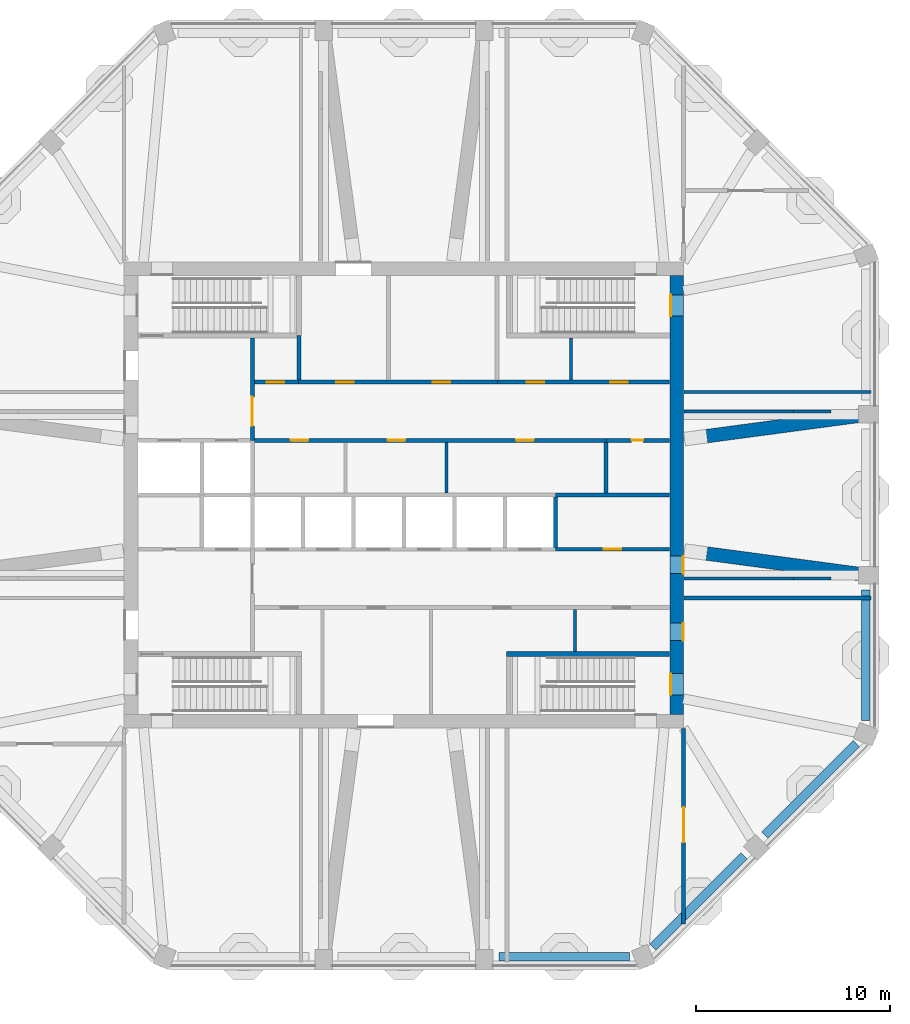
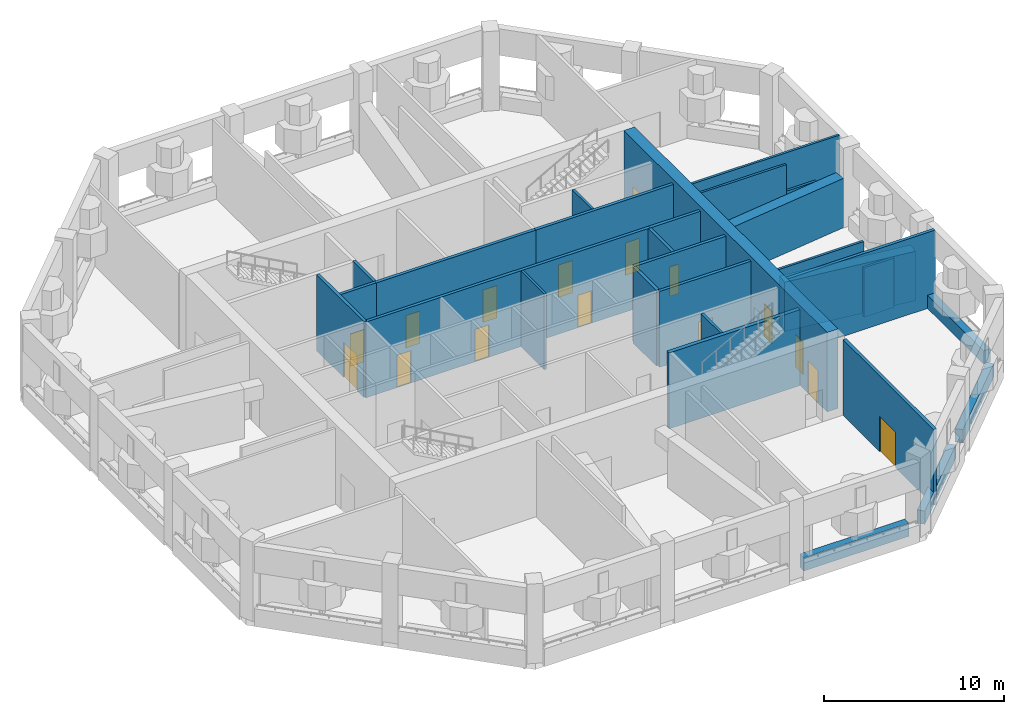
# One storey, part 4 of 9: 29 walls, 16 doors, 16 openings.
"""IFC4 building model written with IfcOpenShell, lengths in metres."""

from ifc_helpers import new_model, si_unit, direction, frame, frame_2d, origin, place, context, subcontext, project, spatial, rectangle, extrude, material, layer, layer_set, type_object, element, fill, save


model = new_model("IFC4")

# Units and contexts
model_context = context("Model", 3, precision=1e-05, world=origin(), true_north=direction((0.0, 1.0)))
body_context = subcontext(model_context, "Body", "Model", "MODEL_VIEW")
ifc_project = project(units=[si_unit("LENGTHUNIT", "METRE"), si_unit("AREAUNIT", "SQUARE_METRE"), si_unit("VOLUMEUNIT", "CUBIC_METRE"), si_unit("PLANEANGLEUNIT", "RADIAN"), si_unit("MASSUNIT", "GRAM", prefix="KILO")], contexts=[model_context])

# Site, building, storey
site_placement = place(None, origin())
site = spatial("IfcSite", under=ifc_project, at=site_placement, CompositionType="ELEMENT")
building_placement = place(site_placement, origin())
building = spatial("IfcBuilding", under=site, at=building_placement, Name="Msitu Wima Residences", CompositionType="ELEMENT")
storey_placement = place(building_placement, frame((0.0, 0.0, 208.5)))
storey = spatial("IfcBuildingStorey", under=building, at=storey_placement, Name="L48", CompositionType="ELEMENT", Elevation=208.5)

# Walls
ifc_material_1 = material(Name="Facing brick")
ifc_layer_1 = layer(ifc_material_1, 0.06494140625, Name="Facing brick")
ifc_material_2 = material(Name="Concrete C40/50", Category="concrete")
ifc_layer_2 = layer(ifc_material_2, 0.156005859375, Name="Concrete C40/50")
ifc_material_3 = material(Name="Waterproofing membrane")
ifc_layer_3 = layer(ifc_material_3, 0.00390625, Name="Waterproofing membrane")
ifc_material_4 = material(Name="Planting soil and planting")
ifc_layer_4 = layer(ifc_material_4, 0.22509765625, Name="Planting soil and planting")
ifc_layer_set_1 = layer_set([ifc_layer_1, ifc_layer_2, ifc_layer_3, ifc_layer_4], Name="Concrete C40/50")
wall_type_1 = type_object("IfcWallType", Name="Balcony planter PLANTER PL450", PredefinedType="USERDEFINED", material=ifc_layer_set_1)
for number, where, z_axis, x_axis, name in (
    (1, (23.77490234375, -11.624755859375, 0.0), (0.0, 0.0, 1.0), (0.0, 1.0, 0.0), "Refuge planter L48 E0"),
    (2, (4.88720703125, -23.77490234375, 0.0), (0.0, 0.0, 1.0), (1.0, 0.0, 0.0), "Refuge planter L48 S2"),
):
    element("IfcWall", number, at=place(storey_placement, frame(where, z_axis=z_axis, x_axis=x_axis)), inside=storey, type_object=wall_type_1, Name=name, ObjectType="PLANTER", PredefinedType="USERDEFINED", context=body_context, shape_type="SweptSolid", body=[
        extrude(rectangle(XDim=6.737548828125, YDim=0.449951171875, at=frame_2d((3.36865234375, 0.0))), origin(), (0.0, 0.0, 1.0), 0.89990234375),
    ])
for number, where, z_axis, x_axis, name in (
    (3, (12.809326171875, -23.284423828125, 0.0), (0.0, 0.0, 1.0), (0.707088443593, 0.707125118305, 0.0), "Refuge planter L48 SE0"),
    (4, (18.5771484375, -17.516357421875, 0.0), (0.0, 0.0, 1.0), (0.707125118305, 0.707088443593, 0.0), "Refuge planter L48 SE1"),
):
    element("IfcWall", number, at=place(storey_placement, frame(where, z_axis=z_axis, x_axis=x_axis)), inside=storey, type_object=wall_type_1, Name=name, ObjectType="PLANTER", PredefinedType="USERDEFINED", context=body_context, shape_type="SweptSolid", body=[
        extrude(rectangle(XDim=6.656982421875, YDim=0.449951171875, at=frame_2d((3.32861328125, 0.0))), origin(), (0.0, 0.0, 1.0), 0.89990234375),
    ])

# Wall, openings, doors
ifc_material_5 = material(Name="Concrete C60/75", Category="concrete")
ifc_layer_5 = layer(ifc_material_5, 0.699951171875)
ifc_layer_set_2 = layer_set([ifc_layer_5], Name="Concrete C60/75")
wall_type_2 = type_object("IfcWallType", Name="Core wall CW700 C60/75", PredefinedType="SHEAR", material=ifc_layer_set_2)
wall_1_placement = place(storey_placement, frame((14.050048828125, -11.300048828125, 0.0), z_axis=(0.0, 0.0, 1.0), x_axis=(0.0, 1.0, 0.0)))
wall_1 = element("IfcWall", 5, at=wall_1_placement, inside=storey, type_object=wall_type_2, Name="Core wall", PredefinedType="SHEAR", context=body_context, shape_type="SweptSolid", body=[
    extrude(rectangle(XDim=22.60009765625, YDim=0.699951171875, at=frame_2d((11.300048828125, 0.0))), origin(), (0.0, 0.0, 1.0), 5.39990234375),
])
opening_1_placement = place(wall_1_placement, frame((20.5, 0.0, 0.0)))
opening_1 = element("IfcOpeningElement", 6, at=opening_1_placement, cuts=wall_1, Name="Opening D48.026", PredefinedType="OPENING", context=body_context, shape_type="SweptSolid", body=[
    extrude(rectangle(XDim=1.10009765625, YDim=2.199951171875, at=frame_2d((0.550048828125, 1.10009765625))), frame((0.0, 0.35986328125, 0.0), z_axis=(0.0, -1.0, 0.0), x_axis=(1.0, 0.0, 0.0)), (0.0, 0.0, 1.0), 0.719970703125),
])
opening_2_placement = place(wall_1_placement, frame((7.25, 0.0, 0.0)))
opening_2 = element("IfcOpeningElement", 7, at=opening_2_placement, cuts=wall_1, Name="Opening D48.028", PredefinedType="OPENING", context=body_context, shape_type="SweptSolid", body=[
    extrude(rectangle(XDim=0.89990234375, YDim=2.199951171875, at=frame_2d((0.449951171875, 1.10009765625))), frame((0.0, 0.35986328125, 0.0), z_axis=(0.0, -1.0, 0.0), x_axis=(1.0, 0.0, 0.0)), (0.0, 0.0, 1.0), 0.719970703125),
])
opening_3_placement = place(wall_1_placement, frame((1.0, 0.0, 0.0)))
opening_3 = element("IfcOpeningElement", 8, at=opening_3_placement, cuts=wall_1, Name="Opening D48.029", PredefinedType="OPENING", context=body_context, shape_type="SweptSolid", body=[
    extrude(rectangle(XDim=1.10009765625, YDim=2.199951171875, at=frame_2d((0.550048828125, 1.10009765625))), frame((0.0, 0.35986328125, 0.0), z_axis=(0.0, -1.0, 0.0), x_axis=(1.0, 0.0, 0.0)), (0.0, 0.0, 1.0), 0.719970703125),
])
opening_4_placement = place(wall_1_placement, frame((3.800048828125, 0.0, 0.0)))
opening_4 = element("IfcOpeningElement", 9, at=opening_4_placement, cuts=wall_1, Name="Opening D48.037", PredefinedType="OPENING", context=body_context, shape_type="SweptSolid", body=[
    extrude(rectangle(XDim=0.89990234375, YDim=2.199951171875, at=frame_2d((0.449951171875, 1.10009765625))), frame((0.0, 0.35986328125, 0.0), z_axis=(0.0, -1.0, 0.0), x_axis=(1.0, 0.0, 0.0)), (0.0, 0.0, 1.0), 0.719970703125),
])
ifc_material_6 = material(Name="Timber flush door", Category="wood")
door_type_1 = type_object("IfcDoorType", Name="Service door D05 900x2200", OperationType="SINGLE_SWING_LEFT", PredefinedType="DOOR", material=ifc_material_6)
door_1_placement = place(opening_2_placement, origin())
door_1 = element("IfcDoor", 10, at=door_1_placement, inside=storey, type_object=door_type_1, Name="Service door", OperationType="SINGLE_SWING_RIGHT", OverallHeight=2.199951171875, OverallWidth=0.89990234375, PredefinedType="DOOR", context=body_context, shape_type="SweptSolid", body=[
    extrude(rectangle(XDim=0.89990234375, YDim=2.199951171875, at=frame_2d((0.449951171875, 1.10009765625))), frame((0.0, -0.294921875, 0.0), z_axis=(0.0, -1.0, 0.0), x_axis=(1.0, 0.0, 0.0)), (0.0, 0.0, 1.0), 0.050048828125),
])
fill(opening_2, door_1)
door_2_placement = place(opening_4_placement, origin())
door_2 = element("IfcDoor", 11, at=door_2_placement, inside=storey, type_object=door_type_1, Name="Service door", OperationType="SINGLE_SWING_LEFT", OverallHeight=2.199951171875, OverallWidth=0.89990234375, PredefinedType="DOOR", context=body_context, shape_type="SweptSolid", body=[
    extrude(rectangle(XDim=0.89990234375, YDim=2.199951171875, at=frame_2d((0.449951171875, 1.10009765625))), frame((0.0, -0.294921875, 0.0), z_axis=(0.0, -1.0, 0.0), x_axis=(1.0, 0.0, 0.0)), (0.0, 0.0, 1.0), 0.050048828125),
])
fill(opening_4, door_2)
ifc_material_7 = material(Name="Steel door, fire resisting, panic bar", Category="steel")
door_type_2 = type_object("IfcDoorType", Name="Stair door D06 1100x2200", OperationType="SINGLE_SWING_LEFT", PredefinedType="DOOR", material=ifc_material_7)
door_3_placement = place(opening_1_placement, origin())
door_3 = element("IfcDoor", 12, at=door_3_placement, inside=storey, type_object=door_type_2, Name="Stair door", OperationType="SINGLE_SWING_LEFT", OverallHeight=2.199951171875, OverallWidth=1.10009765625, PredefinedType="DOOR", context=body_context, shape_type="SweptSolid", body=[
    extrude(rectangle(XDim=1.10009765625, YDim=2.199951171875, at=frame_2d((0.550048828125, 1.10009765625))), frame((0.0, 0.34521484375, 0.0), z_axis=(0.0, -1.0, 0.0), x_axis=(1.0, 0.0, 0.0)), (0.0, 0.0, 1.0), 0.050048828125),
])
fill(opening_1, door_3)
door_4_placement = place(opening_3_placement, origin())
door_4 = element("IfcDoor", 13, at=door_4_placement, inside=storey, type_object=door_type_2, Name="Stair door", OperationType="SINGLE_SWING_RIGHT", OverallHeight=2.199951171875, OverallWidth=1.10009765625, PredefinedType="DOOR", context=body_context, shape_type="SweptSolid", body=[
    extrude(rectangle(XDim=1.10009765625, YDim=2.199951171875, at=frame_2d((0.550048828125, 1.10009765625))), frame((0.0, 0.34521484375, 0.0), z_axis=(0.0, -1.0, 0.0), x_axis=(1.0, 0.0, 0.0)), (0.0, 0.0, 1.0), 0.050048828125),
])
fill(opening_3, door_4)

ifc_material_8 = material(Name="Plaster")
ifc_layer_6 = layer(ifc_material_8, 0.011962890625, Name="Plaster")
ifc_material_9 = material(Name="Concrete blockwork", Category="masonry")
ifc_layer_7 = layer(ifc_material_9, 0.176025390625, Name="Concrete blockwork")
ifc_layer_8 = layer(ifc_material_8, 0.011962890625, Name="Plaster")
ifc_layer_set_3 = layer_set([ifc_layer_6, ifc_layer_7, ifc_layer_8], Name="Concrete blockwork")
wall_type_3 = type_object("IfcWallType", Name="Corridor wall FW200", PredefinedType="PARTITIONING", material=ifc_layer_set_3)
wall_2_placement = place(storey_placement, frame((-7.820068359375, 2.800048828125, 0.0), z_axis=(0.0, 0.0, 1.0), x_axis=(1.0, 0.0, 0.0)))
wall_2 = element("IfcWall", 14, at=wall_2_placement, inside=storey, type_object=wall_type_3, Name="Corridor wall", PredefinedType="PARTITIONING", context=body_context, shape_type="SweptSolid", body=[
    extrude(rectangle(XDim=18.239990234375, YDim=0.199951171875, at=frame_2d((9.1201171875, 0.0))), origin(), (0.0, 0.0, 1.0), 5.14990234375),
])
opening_5_placement = place(wall_2_placement, frame((2.0, 0.0, 0.0)))
opening_5 = element("IfcOpeningElement", 15, at=opening_5_placement, cuts=wall_2, Name="Opening D48.013", PredefinedType="OPENING", context=body_context, shape_type="SweptSolid", body=[
    extrude(rectangle(XDim=0.89990234375, YDim=2.199951171875, at=frame_2d((0.449951171875, 1.10009765625))), frame((0.0, 0.10986328125, 0.0), z_axis=(0.0, -1.0, 0.0), x_axis=(1.0, 0.0, 0.0)), (0.0, 0.0, 1.0), 0.219970703125),
])
opening_6_placement = place(wall_2_placement, frame((7.0, 0.0, 0.0)))
opening_6 = element("IfcOpeningElement", 16, at=opening_6_placement, cuts=wall_2, Name="Opening D48.014", PredefinedType="OPENING", context=body_context, shape_type="SweptSolid", body=[
    extrude(rectangle(XDim=0.89990234375, YDim=2.199951171875, at=frame_2d((0.449951171875, 1.10009765625))), frame((0.0, 0.10986328125, 0.0), z_axis=(0.0, -1.0, 0.0), x_axis=(1.0, 0.0, 0.0)), (0.0, 0.0, 1.0), 0.219970703125),
])
opening_7_placement = place(wall_2_placement, frame((13.60009765625, 0.0, 0.0)))
opening_7 = element("IfcOpeningElement", 17, at=opening_7_placement, cuts=wall_2, Name="Opening D48.015", PredefinedType="OPENING", context=body_context, shape_type="SweptSolid", body=[
    extrude(rectangle(XDim=0.89990234375, YDim=2.199951171875, at=frame_2d((0.449951171875, 1.10009765625))), frame((0.0, 0.10986328125, 0.0), z_axis=(0.0, -1.0, 0.0), x_axis=(1.0, 0.0, 0.0)), (0.0, 0.0, 1.0), 0.219970703125),
])
door_5_placement = place(opening_5_placement, origin())
door_5 = element("IfcDoor", 18, at=door_5_placement, inside=storey, type_object=door_type_1, Name="Service door", OperationType="SINGLE_SWING_LEFT", OverallHeight=2.199951171875, OverallWidth=0.89990234375, PredefinedType="DOOR", context=body_context, shape_type="SweptSolid", body=[
    extrude(rectangle(XDim=0.89990234375, YDim=2.199951171875, at=frame_2d((0.449951171875, 1.10009765625))), frame((0.0, 0.02490234375, 0.0), z_axis=(0.0, -1.0, 0.0), x_axis=(1.0, 0.0, 0.0)), (0.0, 0.0, 1.0), 0.050048828125),
])
fill(opening_5, door_5)
door_6_placement = place(opening_6_placement, origin())
door_6 = element("IfcDoor", 19, at=door_6_placement, inside=storey, type_object=door_type_1, Name="Service door", OperationType="SINGLE_SWING_LEFT", OverallHeight=2.199951171875, OverallWidth=0.89990234375, PredefinedType="DOOR", context=body_context, shape_type="SweptSolid", body=[
    extrude(rectangle(XDim=0.89990234375, YDim=2.199951171875, at=frame_2d((0.449951171875, 1.10009765625))), frame((0.0, 0.02490234375, 0.0), z_axis=(0.0, -1.0, 0.0), x_axis=(1.0, 0.0, 0.0)), (0.0, 0.0, 1.0), 0.050048828125),
])
fill(opening_6, door_6)
door_7_placement = place(opening_7_placement, origin())
door_7 = element("IfcDoor", 20, at=door_7_placement, inside=storey, type_object=door_type_1, Name="Service door", OperationType="SINGLE_SWING_LEFT", OverallHeight=2.199951171875, OverallWidth=0.89990234375, PredefinedType="DOOR", context=body_context, shape_type="SweptSolid", body=[
    extrude(rectangle(XDim=0.89990234375, YDim=2.199951171875, at=frame_2d((0.449951171875, 1.10009765625))), frame((0.0, 0.02490234375, 0.0), z_axis=(0.0, -1.0, 0.0), x_axis=(1.0, 0.0, 0.0)), (0.0, 0.0, 1.0), 0.050048828125),
])
fill(opening_7, door_7)

# Wall, opening, door
wall_3_placement = place(storey_placement, frame((-7.800048828125, 2.800048828125, 0.0), z_axis=(0.0, 0.0, 1.0), x_axis=(0.0, 1.0, 0.0)))
wall_3 = element("IfcWall", 21, at=wall_3_placement, inside=storey, type_object=wall_type_3, Name="Corridor wall", PredefinedType="PARTITIONING", context=body_context, shape_type="SweptSolid", body=[
    extrude(rectangle(XDim=5.27490234375, YDim=0.199951171875, at=frame_2d((2.637451171875, 0.0))), origin(), (0.0, 0.0, 1.0), 5.14990234375),
])
opening_8_placement = place(wall_3_placement, frame((0.75, 0.0, 0.0)))
opening_8 = element("IfcOpeningElement", 22, at=opening_8_placement, cuts=wall_3, Name="Opening D48.002", PredefinedType="OPENING", context=body_context, shape_type="SweptSolid", body=[
    extrude(rectangle(XDim=1.5, YDim=2.39990234375, at=frame_2d((0.75, 1.199951171875))), frame((0.0, 0.10986328125, 0.0), z_axis=(0.0, -1.0, 0.0), x_axis=(1.0, 0.0, 0.0)), (0.0, 0.0, 1.0), 0.219970703125),
])
ifc_material_10 = material(Name="Steel framed glazed door, fire resisting", Category="steel")
door_type_3 = type_object("IfcDoorType", Name="Lobby door D07 1500x2400", OperationType="DOUBLE_DOOR_SINGLE_SWING", PredefinedType="DOOR", material=ifc_material_10)
door_8_placement = place(opening_8_placement, origin())
door_8 = element("IfcDoor", 23, at=door_8_placement, inside=storey, type_object=door_type_3, Name="Lobby door", OperationType="DOUBLE_DOOR_SINGLE_SWING", OverallHeight=2.39990234375, OverallWidth=1.5, PredefinedType="DOOR", context=body_context, shape_type="SweptSolid", body=[
    extrude(rectangle(XDim=1.5, YDim=2.39990234375, at=frame_2d((0.75, 1.199951171875))), frame((0.0, 0.02490234375, 0.0), z_axis=(0.0, -1.0, 0.0), x_axis=(1.0, 0.0, 0.0)), (0.0, 0.0, 1.0), 0.050048828125),
])
fill(opening_8, door_8)

wall_4_placement = place(storey_placement, frame((-7.699951171875, 5.800048828125, 0.0), z_axis=(0.0, 0.0, 1.0), x_axis=(1.0, 0.0, 0.0)))
wall_4 = element("IfcWall", 24, at=wall_4_placement, inside=storey, type_object=wall_type_3, Name="Corridor wall", PredefinedType="PARTITIONING", context=body_context, shape_type="SweptSolid", body=[
    extrude(rectangle(XDim=2.280029296875, YDim=0.199951171875, at=frame_2d((1.14013671875, 0.0))), origin(), (0.0, 0.0, 1.0), 5.14990234375),
])
opening_9_placement = place(wall_4_placement, frame((0.64990234375, 0.0, 0.0)))
opening_9 = element("IfcOpeningElement", 25, at=opening_9_placement, cuts=wall_4, Name="Opening D48.004", PredefinedType="OPENING", context=body_context, shape_type="SweptSolid", body=[
    extrude(rectangle(XDim=0.89990234375, YDim=2.199951171875, at=frame_2d((0.449951171875, 1.10009765625))), frame((0.0, 0.10986328125, 0.0), z_axis=(0.0, -1.0, 0.0), x_axis=(1.0, 0.0, 0.0)), (0.0, 0.0, 1.0), 0.219970703125),
])
door_9_placement = place(opening_9_placement, origin())
door_9 = element("IfcDoor", 26, at=door_9_placement, inside=storey, type_object=door_type_1, Name="Service door", OperationType="SINGLE_SWING_LEFT", OverallHeight=2.199951171875, OverallWidth=0.89990234375, PredefinedType="DOOR", context=body_context, shape_type="SweptSolid", body=[
    extrude(rectangle(XDim=0.89990234375, YDim=2.199951171875, at=frame_2d((0.449951171875, 1.10009765625))), frame((0.0, 0.02490234375, 0.0), z_axis=(0.0, -1.0, 0.0), x_axis=(1.0, 0.0, 0.0)), (0.0, 0.0, 1.0), 0.050048828125),
])
fill(opening_9, door_9)

# Wall, openings, doors
wall_5_placement = place(storey_placement, frame((4.820068359375, 5.800048828125, 0.0), z_axis=(0.0, 0.0, 1.0), x_axis=(1.0, 0.0, 0.0)))
wall_5 = element("IfcWall", 27, at=wall_5_placement, inside=storey, type_object=wall_type_3, Name="Corridor wall", PredefinedType="PARTITIONING", context=body_context, shape_type="SweptSolid", body=[
    extrude(rectangle(XDim=8.849853515625, YDim=0.199951171875, at=frame_2d((4.4248046875, 0.0))), origin(), (0.0, 0.0, 1.0), 5.14990234375),
])
opening_10_placement = place(wall_5_placement, frame((1.5, 0.0, 0.0)))
opening_10 = element("IfcOpeningElement", 28, at=opening_10_placement, cuts=wall_5, Name="Opening D48.007", PredefinedType="OPENING", context=body_context, shape_type="SweptSolid", body=[
    extrude(rectangle(XDim=0.89990234375, YDim=2.199951171875, at=frame_2d((0.449951171875, 1.10009765625))), frame((0.0, 0.10986328125, 0.0), z_axis=(0.0, -1.0, 0.0), x_axis=(1.0, 0.0, 0.0)), (0.0, 0.0, 1.0), 0.219970703125),
])
opening_11_placement = place(wall_5_placement, frame((5.800048828125, 0.0, 0.0)))
opening_11 = element("IfcOpeningElement", 29, at=opening_11_placement, cuts=wall_5, Name="Opening D48.008", PredefinedType="OPENING", context=body_context, shape_type="SweptSolid", body=[
    extrude(rectangle(XDim=0.89990234375, YDim=2.199951171875, at=frame_2d((0.449951171875, 1.10009765625))), frame((0.0, 0.10986328125, 0.0), z_axis=(0.0, -1.0, 0.0), x_axis=(1.0, 0.0, 0.0)), (0.0, 0.0, 1.0), 0.219970703125),
])
door_10_placement = place(opening_10_placement, origin())
door_10 = element("IfcDoor", 30, at=door_10_placement, inside=storey, type_object=door_type_1, Name="Service door", OperationType="SINGLE_SWING_RIGHT", OverallHeight=2.199951171875, OverallWidth=0.89990234375, PredefinedType="DOOR", context=body_context, shape_type="SweptSolid", body=[
    extrude(rectangle(XDim=0.89990234375, YDim=2.199951171875, at=frame_2d((0.449951171875, 1.10009765625))), frame((0.0, 0.02490234375, 0.0), z_axis=(0.0, -1.0, 0.0), x_axis=(1.0, 0.0, 0.0)), (0.0, 0.0, 1.0), 0.050048828125),
])
fill(opening_10, door_10)
door_11_placement = place(opening_11_placement, origin())
door_11 = element("IfcDoor", 31, at=door_11_placement, inside=storey, type_object=door_type_1, Name="Service door", OperationType="SINGLE_SWING_LEFT", OverallHeight=2.199951171875, OverallWidth=0.89990234375, PredefinedType="DOOR", context=body_context, shape_type="SweptSolid", body=[
    extrude(rectangle(XDim=0.89990234375, YDim=2.199951171875, at=frame_2d((0.449951171875, 1.10009765625))), frame((0.0, 0.02490234375, 0.0), z_axis=(0.0, -1.0, 0.0), x_axis=(1.0, 0.0, 0.0)), (0.0, 0.0, 1.0), 0.050048828125),
])
fill(opening_11, door_11)

# Walls
ifc_material_11 = material(Name="Concrete C80/95", Category="concrete")
ifc_layer_9 = layer(ifc_material_11, 0.699951171875)
ifc_layer_set_4 = layer_set([ifc_layer_9], Name="Concrete C80/95")
wall_type_4 = type_object("IfcWallType", Name="Outrigger wall 700 Concrete C80/95", PredefinedType="SHEAR", material=ifc_layer_set_4)
for number, where, z_axis, x_axis, name in (
    (32, (15.58935546875, -3.021240234375, 0.0), (0.0, 0.0, 1.0), (0.991157137801, -0.132693361503, 0.0), "Outrigger wall L48 C-E1"),
    (33, (15.58935546875, 3.021240234375, 0.0), (0.0, 0.0, 1.0), (0.991157137801, 0.132693361503, 0.0), "Outrigger wall L48 C-E2"),
):
    element("IfcWall", number, at=place(storey_placement, frame(where, z_axis=z_axis, x_axis=x_axis)), inside=storey, type_object=wall_type_4, Name=name, PredefinedType="SHEAR", context=body_context, shape_type="SweptSolid", body=[
        extrude(rectangle(XDim=7.880126953125, YDim=0.699951171875, at=frame_2d((3.93994140625, 0.0))), origin(), (0.0, 0.0, 1.0), 3.35009765625),
    ])
ifc_layer_10 = layer(ifc_material_8, 0.011962890625, Name="Plaster")
ifc_layer_11 = layer(ifc_material_9, 0.1259765625, Name="Concrete blockwork")
ifc_layer_12 = layer(ifc_material_8, 0.011962890625, Name="Plaster")
ifc_layer_set_5 = layer_set([ifc_layer_10, ifc_layer_11, ifc_layer_12], Name="Concrete blockwork")
wall_type_5 = type_object("IfcWallType", Name="Partition PW150", PredefinedType="PARTITIONING", material=ifc_layer_set_5)
wall_6_placement = place(storey_placement, frame((2.199951171875, 0.10009765625, 0.0), z_axis=(0.0, 0.0, 1.0), x_axis=(0.0, 1.0, 0.0)))
element("IfcWall", 34, at=wall_6_placement, inside=storey, type_object=wall_type_5, Name="Partition", PredefinedType="PARTITIONING", context=body_context, shape_type="SweptSolid", body=[
    extrude(rectangle(XDim=2.599853515625, YDim=0.14990234375, at=frame_2d((1.2998046875, 0.0))), origin(), (0.0, 0.0, 1.0), 5.14990234375),
])
for number, where, z_axis, x_axis, name in (
    (35, (8.60009765625, 5.89990234375, 0.0), (0.0, 0.0, 1.0), (0.0, 1.0, 0.0), "Partition"),
    (36, (8.800048828125, -8.074951171875, 0.0), (0.0, 0.0, 1.0), (0.0, 1.0, 0.0), "Partition"),
):
    element("IfcWall", number, at=place(storey_placement, frame(where, z_axis=z_axis, x_axis=x_axis)), inside=storey, type_object=wall_type_5, Name=name, PredefinedType="PARTITIONING", context=body_context, shape_type="SweptSolid", body=[
        extrude(rectangle(XDim=2.175048828125, YDim=0.14990234375, at=frame_2d((1.08740234375, 0.0))), origin(), (0.0, 0.0, 1.0), 5.14990234375),
    ])
wall_7_placement = place(storey_placement, frame((14.429931640625, -4.300048828125, 0.0), z_axis=(0.0, 0.0, 1.0), x_axis=(1.0, 0.0, 0.0)))
element("IfcWall", 37, at=wall_7_placement, inside=storey, type_object=wall_type_5, Name="Partition", PredefinedType="PARTITIONING", context=body_context, shape_type="SweptSolid", body=[
    extrude(rectangle(XDim=5.629150390625, YDim=0.14990234375, at=frame_2d((2.814453125, 0.0))), origin(), (0.0, 0.0, 1.0), 5.14990234375),
])
wall_8_placement = place(storey_placement, frame((20.05908203125, -4.300048828125, 0.0), z_axis=(0.0, 0.0, 1.0), x_axis=(1.0, 0.0, 0.0)))
element("IfcWall", 38, at=wall_8_placement, inside=storey, type_object=wall_type_5, Name="Partition", PredefinedType="PARTITIONING", context=body_context, shape_type="SweptSolid", body=[
    extrude(rectangle(XDim=1.93408203125, YDim=0.14990234375, at=frame_2d((0.967041015625, 0.0))), origin(), (0.0, 0.0, 1.0), 3.35009765625),
])
wall_9_placement = place(storey_placement, frame((14.429931640625, 4.300048828125, 0.0), z_axis=(0.0, 0.0, 1.0), x_axis=(1.0, 0.0, 0.0)))
element("IfcWall", 39, at=wall_9_placement, inside=storey, type_object=wall_type_5, Name="Partition", PredefinedType="PARTITIONING", context=body_context, shape_type="SweptSolid", body=[
    extrude(rectangle(XDim=5.629150390625, YDim=0.14990234375, at=frame_2d((2.814453125, 0.0))), origin(), (0.0, 0.0, 1.0), 5.14990234375),
])
wall_10_placement = place(storey_placement, frame((20.05908203125, 4.300048828125, 0.0), z_axis=(0.0, 0.0, 1.0), x_axis=(1.0, 0.0, 0.0)))
element("IfcWall", 40, at=wall_10_placement, inside=storey, type_object=wall_type_5, Name="Partition", PredefinedType="PARTITIONING", context=body_context, shape_type="SweptSolid", body=[
    extrude(rectangle(XDim=1.93408203125, YDim=0.14990234375, at=frame_2d((0.967041015625, 0.0))), origin(), (0.0, 0.0, 1.0), 3.35009765625),
])
wall_11_placement = place(storey_placement, frame((14.429931640625, 5.300048828125, 0.0), z_axis=(0.0, 0.0, 1.0), x_axis=(1.0, 0.0, 0.0)))
element("IfcWall", 41, at=wall_11_placement, inside=storey, type_object=wall_type_5, Name="Partition", PredefinedType="PARTITIONING", context=body_context, shape_type="SweptSolid", body=[
    extrude(rectangle(XDim=9.625, YDim=0.14990234375, at=frame_2d((4.8125, 0.0))), origin(), (0.0, 0.0, 1.0), 5.14990234375),
])

# Wall, openings, doors
ifc_layer_13 = layer(ifc_material_8, 0.011962890625, Name="Plaster")
ifc_material_12 = material(Name="Reinforced concrete blockwork", Category="masonry")
ifc_layer_14 = layer(ifc_material_12, 0.176025390625, Name="Reinforced concrete blockwork")
ifc_layer_15 = layer(ifc_material_8, 0.011962890625, Name="Plaster")
ifc_layer_set_6 = layer_set([ifc_layer_13, ifc_layer_14, ifc_layer_15], Name="Reinforced concrete blockwork")
wall_type_6 = type_object("IfcWallType", Name="Plant and riser wall PL200", PredefinedType="PARTITIONING", material=ifc_layer_set_6)
wall_12_placement = place(storey_placement, frame((-5.419921875, 5.800048828125, 0.0), z_axis=(0.0, 0.0, 1.0), x_axis=(1.0, 0.0, 0.0)))
wall_12 = element("IfcWall", 42, at=wall_12_placement, inside=storey, type_object=wall_type_6, Name="Plant and riser wall", PredefinedType="PARTITIONING", context=body_context, shape_type="SweptSolid", body=[
    extrude(rectangle(XDim=10.239990234375, YDim=0.199951171875, at=frame_2d((5.1201171875, 0.0))), origin(), (0.0, 0.0, 1.0), 5.14990234375),
])
opening_12_placement = place(wall_12_placement, frame((1.949951171875, 0.0, 0.0)))
opening_12 = element("IfcOpeningElement", 43, at=opening_12_placement, cuts=wall_12, Name="Opening D48.005", PredefinedType="OPENING", context=body_context, shape_type="SweptSolid", body=[
    extrude(rectangle(XDim=0.89990234375, YDim=2.199951171875, at=frame_2d((0.449951171875, 1.10009765625))), frame((0.0, 0.10986328125, 0.0), z_axis=(0.0, -1.0, 0.0), x_axis=(1.0, 0.0, 0.0)), (0.0, 0.0, 1.0), 0.219970703125),
])
opening_13_placement = place(wall_12_placement, frame((6.89990234375, 0.0, 0.0)))
opening_13 = element("IfcOpeningElement", 44, at=opening_13_placement, cuts=wall_12, Name="Opening D48.006", PredefinedType="OPENING", context=body_context, shape_type="SweptSolid", body=[
    extrude(rectangle(XDim=0.89990234375, YDim=2.199951171875, at=frame_2d((0.449951171875, 1.10009765625))), frame((0.0, 0.10986328125, 0.0), z_axis=(0.0, -1.0, 0.0), x_axis=(1.0, 0.0, 0.0)), (0.0, 0.0, 1.0), 0.219970703125),
])
door_12_placement = place(opening_12_placement, origin())
door_12 = element("IfcDoor", 45, at=door_12_placement, inside=storey, type_object=door_type_1, Name="Service door", OperationType="SINGLE_SWING_RIGHT", OverallHeight=2.199951171875, OverallWidth=0.89990234375, PredefinedType="DOOR", context=body_context, shape_type="SweptSolid", body=[
    extrude(rectangle(XDim=0.89990234375, YDim=2.199951171875, at=frame_2d((0.449951171875, 1.10009765625))), frame((0.0, 0.02490234375, 0.0), z_axis=(0.0, -1.0, 0.0), x_axis=(1.0, 0.0, 0.0)), (0.0, 0.0, 1.0), 0.050048828125),
])
fill(opening_12, door_12)
door_13_placement = place(opening_13_placement, origin())
door_13 = element("IfcDoor", 46, at=door_13_placement, inside=storey, type_object=door_type_1, Name="Service door", OperationType="SINGLE_SWING_LEFT", OverallHeight=2.199951171875, OverallWidth=0.89990234375, PredefinedType="DOOR", context=body_context, shape_type="SweptSolid", body=[
    extrude(rectangle(XDim=0.89990234375, YDim=2.199951171875, at=frame_2d((0.449951171875, 1.10009765625))), frame((0.0, 0.02490234375, 0.0), z_axis=(0.0, -1.0, 0.0), x_axis=(1.0, 0.0, 0.0)), (0.0, 0.0, 1.0), 0.050048828125),
])
fill(opening_13, door_13)

# Wall
wall_13_placement = place(storey_placement, frame((-5.39990234375, 5.89990234375, 0.0), z_axis=(0.0, 0.0, 1.0), x_axis=(0.0, 1.0, 0.0)))
element("IfcWall", 47, at=wall_13_placement, inside=storey, type_object=wall_type_6, Name="Plant and riser wall", PredefinedType="PARTITIONING", context=body_context, shape_type="SweptSolid", body=[
    extrude(rectangle(XDim=2.300048828125, YDim=0.199951171875, at=frame_2d((1.14990234375, 0.0))), origin(), (0.0, 0.0, 1.0), 5.14990234375),
])

# Wall, opening, door
wall_14_placement = place(storey_placement, frame((7.800048828125, -2.800048828125, 0.0), z_axis=(0.0, 0.0, 1.0), x_axis=(1.0, 0.0, 0.0)))
wall_14 = element("IfcWall", 48, at=wall_14_placement, inside=storey, type_object=wall_type_6, Name="Plant and riser wall", PredefinedType="PARTITIONING", context=body_context, shape_type="SweptSolid", body=[
    extrude(rectangle(XDim=5.869873046875, YDim=0.199951171875, at=frame_2d((2.93505859375, 0.0))), origin(), (0.0, 0.0, 1.0), 5.14990234375),
])
opening_14_placement = place(wall_14_placement, frame((2.5, 0.0, 0.0)))
opening_14 = element("IfcOpeningElement", 49, at=opening_14_placement, cuts=wall_14, Name="Opening D48.001", PredefinedType="OPENING", context=body_context, shape_type="SweptSolid", body=[
    extrude(rectangle(XDim=0.89990234375, YDim=2.199951171875, at=frame_2d((0.449951171875, 1.10009765625))), frame((0.0, 0.10986328125, 0.0), z_axis=(0.0, -1.0, 0.0), x_axis=(1.0, 0.0, 0.0)), (0.0, 0.0, 1.0), 0.219970703125),
])
door_14_placement = place(opening_14_placement, origin())
door_14 = element("IfcDoor", 50, at=door_14_placement, inside=storey, type_object=door_type_1, Name="Service door", OperationType="SINGLE_SWING_LEFT", OverallHeight=2.199951171875, OverallWidth=0.89990234375, PredefinedType="DOOR", context=body_context, shape_type="SweptSolid", body=[
    extrude(rectangle(XDim=0.89990234375, YDim=2.199951171875, at=frame_2d((0.449951171875, 1.10009765625))), frame((0.0, 0.02490234375, 0.0), z_axis=(0.0, -1.0, 0.0), x_axis=(1.0, 0.0, 0.0)), (0.0, 0.0, 1.0), 0.050048828125),
])
fill(opening_14, door_14)

# Wall
wall_15_placement = place(storey_placement, frame((7.800048828125, 0.0, 0.0), z_axis=(0.0, 0.0, 1.0), x_axis=(1.0, 0.0, 0.0)))
element("IfcWall", 51, at=wall_15_placement, inside=storey, type_object=wall_type_6, Name="Plant and riser wall", PredefinedType="PARTITIONING", context=body_context, shape_type="SweptSolid", body=[
    extrude(rectangle(XDim=5.869873046875, YDim=0.199951171875, at=frame_2d((2.93505859375, 0.0))), origin(), (0.0, 0.0, 1.0), 5.14990234375),
])

# Wall, opening, door
wall_16_placement = place(storey_placement, frame((10.419921875, 2.800048828125, 0.0), z_axis=(0.0, 0.0, 1.0), x_axis=(1.0, 0.0, 0.0)))
wall_16 = element("IfcWall", 52, at=wall_16_placement, inside=storey, type_object=wall_type_6, Name="Plant and riser wall", PredefinedType="PARTITIONING", context=body_context, shape_type="SweptSolid", body=[
    extrude(rectangle(XDim=3.25, YDim=0.199951171875, at=frame_2d((1.625, 0.0))), origin(), (0.0, 0.0, 1.0), 5.14990234375),
])
opening_15_placement = place(wall_16_placement, frame((1.300048828125, 0.0, 0.0)))
opening_15 = element("IfcOpeningElement", 53, at=opening_15_placement, cuts=wall_16, Name="Opening D48.016", PredefinedType="OPENING", context=body_context, shape_type="SweptSolid", body=[
    extrude(rectangle(XDim=0.60009765625, YDim=2.0, at=frame_2d((0.300048828125, 1.0))), frame((0.0, 0.10986328125, 0.0), z_axis=(0.0, -1.0, 0.0), x_axis=(1.0, 0.0, 0.0)), (0.0, 0.0, 1.0), 0.219970703125),
])
ifc_material_13 = material(Name="Steel access door, fire resisting", Category="steel")
door_type_4 = type_object("IfcDoorType", Name="Riser access door D08 600x2000", OperationType="SINGLE_SWING_LEFT", PredefinedType="DOOR", material=ifc_material_13)
door_15_placement = place(opening_15_placement, origin())
door_15 = element("IfcDoor", 54, at=door_15_placement, inside=storey, type_object=door_type_4, Name="Riser access door", OperationType="SINGLE_SWING_RIGHT", OverallHeight=2.0, OverallWidth=0.60009765625, PredefinedType="DOOR", context=body_context, shape_type="SweptSolid", body=[
    extrude(rectangle(XDim=0.60009765625, YDim=2.0, at=frame_2d((0.300048828125, 1.0))), frame((0.0, 0.02490234375, 0.0), z_axis=(0.0, -1.0, 0.0), x_axis=(1.0, 0.0, 0.0)), (0.0, 0.0, 1.0), 0.050048828125),
])
fill(opening_15, door_15)

# Wall
wall_17_placement = place(storey_placement, frame((10.39990234375, 0.10009765625, 0.0), z_axis=(0.0, 0.0, 1.0), x_axis=(0.0, 1.0, 0.0)))
element("IfcWall", 55, at=wall_17_placement, inside=storey, type_object=wall_type_6, Name="Plant and riser wall", PredefinedType="PARTITIONING", context=body_context, shape_type="SweptSolid", body=[
    extrude(rectangle(XDim=2.599853515625, YDim=0.199951171875, at=frame_2d((1.2998046875, 0.0))), origin(), (0.0, 0.0, 1.0), 5.14990234375),
])

# Wall, opening, door
wall_18_placement = place(storey_placement, frame((14.39990234375, -22.089599609375, 0.0), z_axis=(0.0, 0.0, 1.0), x_axis=(0.0, 1.0, 0.0)))
wall_18 = element("IfcWall", 56, at=wall_18_placement, inside=storey, type_object=wall_type_6, Name="Plant and riser wall", PredefinedType="PARTITIONING", context=body_context, shape_type="SweptSolid", body=[
    extrude(rectangle(XDim=10.0595703125, YDim=0.199951171875, at=frame_2d((5.02978515625, 0.0))), origin(), (0.0, 0.0, 1.0), 5.14990234375),
])
opening_16_placement = place(wall_18_placement, frame((4.199951171875, 0.0, 0.0)))
opening_16 = element("IfcOpeningElement", 57, at=opening_16_placement, cuts=wall_18, Name="Opening D48.038", PredefinedType="OPENING", context=body_context, shape_type="SweptSolid", body=[
    extrude(rectangle(XDim=1.800048828125, YDim=2.39990234375, at=frame_2d((0.89990234375, 1.199951171875))), frame((0.0, 0.10986328125, 0.0), z_axis=(0.0, -1.0, 0.0), x_axis=(1.0, 0.0, 0.0)), (0.0, 0.0, 1.0), 0.219970703125),
])
ifc_material_14 = material(Name="Steel door, fire resisting", Category="steel")
door_type_5 = type_object("IfcDoorType", Name="Plant room door D09 1800x2400", OperationType="DOUBLE_DOOR_SINGLE_SWING", PredefinedType="DOOR", material=ifc_material_14)
door_16_placement = place(opening_16_placement, origin())
door_16 = element("IfcDoor", 58, at=door_16_placement, inside=storey, type_object=door_type_5, Name="Plant room door", OperationType="DOUBLE_DOOR_SINGLE_SWING", OverallHeight=2.39990234375, OverallWidth=1.800048828125, PredefinedType="DOOR", context=body_context, shape_type="SweptSolid", body=[
    extrude(rectangle(XDim=1.800048828125, YDim=2.39990234375, at=frame_2d((0.89990234375, 1.199951171875))), frame((0.0, 0.02490234375, 0.0), z_axis=(0.0, -1.0, 0.0), x_axis=(1.0, 0.0, 0.0)), (0.0, 0.0, 1.0), 0.050048828125),
])
fill(opening_16, door_16)

# Walls
wall_19_placement = place(storey_placement, frame((14.429931640625, -5.300048828125, 0.0), z_axis=(0.0, 0.0, 1.0), x_axis=(1.0, 0.0, 0.0)))
element("IfcWall", 59, at=wall_19_placement, inside=storey, type_object=wall_type_6, Name="Plant and riser wall", PredefinedType="PARTITIONING", context=body_context, shape_type="SweptSolid", body=[
    extrude(rectangle(XDim=9.625, YDim=0.199951171875, at=frame_2d((4.8125, 0.0))), origin(), (0.0, 0.0, 1.0), 5.14990234375),
])
ifc_material_15 = material(Name="Fire-rated board")
ifc_layer_16 = layer(ifc_material_15, 0.02490234375, Name="Fire-rated board")
ifc_material_16 = material(Name="Light-gauge stud framing with mineral wool")
ifc_layer_17 = layer(ifc_material_16, 0.14990234375, Name="Light-gauge stud framing with mineral wool")
ifc_layer_18 = layer(ifc_material_15, 0.02490234375, Name="Fire-rated board")
ifc_layer_set_7 = layer_set([ifc_layer_16, ifc_layer_17, ifc_layer_18], Name="Light-gauge stud framing with mineral wool")
wall_type_7 = type_object("IfcWallType", Name="Shaft wall SH200", PredefinedType="PARTITIONING", material=ifc_layer_set_7)
wall_20_placement = place(storey_placement, frame((7.800048828125, -2.699951171875, 0.0), z_axis=(0.0, 0.0, 1.0), x_axis=(0.0, 1.0, 0.0)))
element("IfcWall", 60, at=wall_20_placement, inside=storey, type_object=wall_type_7, Name="Shaft wall", PredefinedType="PARTITIONING", context=body_context, shape_type="SweptSolid", body=[
    extrude(rectangle(XDim=2.599853515625, YDim=0.199951171875, at=frame_2d((1.2998046875, 0.0))), origin(), (0.0, 0.0, 1.0), 5.14990234375),
])
ifc_material_17 = material(Name="Concrete C50/60", Category="concrete")
ifc_layer_19 = layer(ifc_material_17, 0.25)
ifc_layer_set_8 = layer_set([ifc_layer_19], Name="Concrete C50/60")
wall_type_8 = type_object("IfcWallType", Name="Stair enclosure wall SW250", PredefinedType="SHEAR", material=ifc_layer_set_8)
wall_21_placement = place(storey_placement, frame((5.27490234375, -8.199951171875, 0.0), z_axis=(0.0, 0.0, 1.0), x_axis=(1.0, 0.0, 0.0)))
element("IfcWall", 61, at=wall_21_placement, inside=storey, type_object=wall_type_8, Name="Stair enclosure wall", PredefinedType="SHEAR", context=body_context, shape_type="SweptSolid", body=[
    extrude(rectangle(XDim=8.39501953125, YDim=0.25, at=frame_2d((4.197509765625, 0.0))), origin(), (0.0, 0.0, 1.0), 5.14990234375),
])

save(model, "model.ifc")
